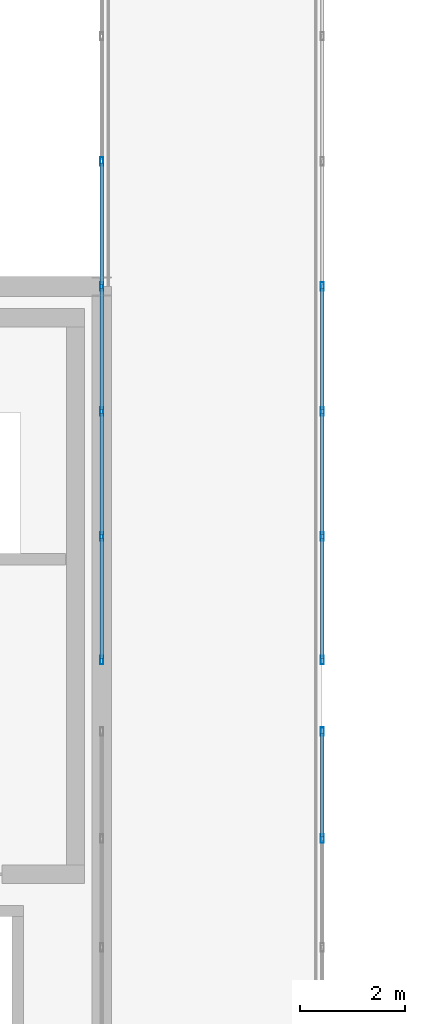
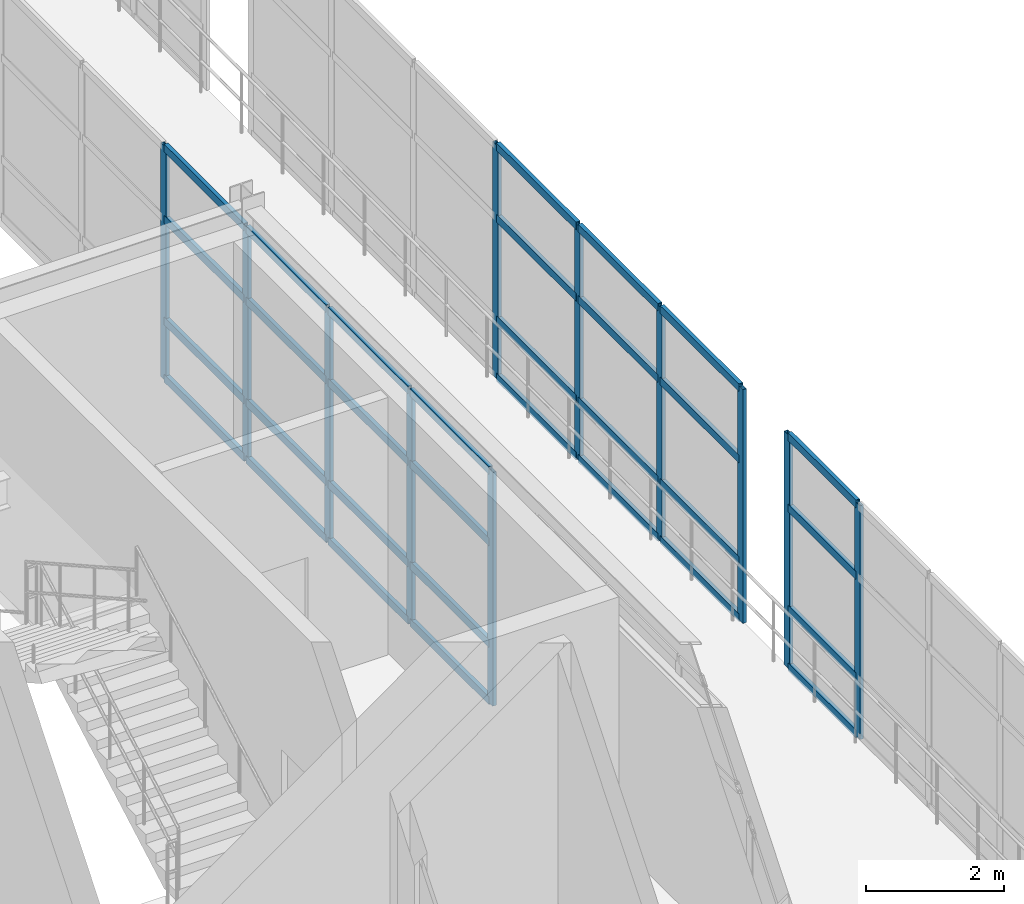
# One storey, part 59 of 116: 43 members, 3 elements without a shape of their own.
"""IFC4 building model written with IfcOpenShell, lengths in metres."""

from ifc_helpers import new_model, si_unit, direction, frame, origin, origin_2d, place, context, subcontext, project, spatial, hollow_rectangle, extrude, material, layer, layer_set, material_profile, profile_set, type_object, element, aggregate, save


model = new_model("IFC4")

# Units and contexts
model_context = context("Model", 3, precision=1e-05, world=origin(), true_north=direction((0.0, 1.0)))
body_context = subcontext(model_context, "Body", "Model", "MODEL_VIEW")
ifc_project = project(units=[si_unit("LENGTHUNIT", "METRE"), si_unit("AREAUNIT", "SQUARE_METRE"), si_unit("VOLUMEUNIT", "CUBIC_METRE"), si_unit("PLANEANGLEUNIT", "RADIAN"), si_unit("MASSUNIT", "GRAM", prefix="KILO")], contexts=[model_context])

# Site, building, storey
site_placement = place(None, origin())
site = spatial("IfcSite", under=ifc_project, at=site_placement, CompositionType="ELEMENT")
building_placement = place(site_placement, origin())
building = spatial("IfcBuilding", under=site, at=building_placement, Name="Selat Folded Stagehouse", CompositionType="ELEMENT")
storey_placement = place(building_placement, frame((0.0, 0.0, 5.39990234375)))
storey = spatial("IfcBuildingStorey", under=building, at=storey_placement, Name="L01", CompositionType="ELEMENT", Elevation=5.39990234375)

# Curtain wall, members
ifc_material = material(Name="Aluminium 6063-T6", Category="aluminium")
ifc_layer = layer(ifc_material, 0.175048828125)
ifc_layer_set = layer_set([ifc_layer], Name="Aluminium 6063-T6")
curtain_wall_type = type_object("IfcCurtainWallType", Name="CW-BRG-GLAZ", PredefinedType="NOTDEFINED", material=ifc_layer_set)
curtain_wall_1_placement = place(storey_placement, origin())
curtain_wall_1 = element("IfcCurtainWall", 1, at=curtain_wall_1_placement, inside=storey, type_object=curtain_wall_type, Name="L01 curtain wall CW-BRG-03", PredefinedType="NOTDEFINED")
ifc_material_profile_1 = material_profile(ifc_material, hollow_rectangle(XDim=0.06005859375, YDim=0.159912109375, WallThickness=0.00390625, at=origin_2d()), Name="ALU 160x60x4.0")
ifc_profile_set_1 = profile_set([ifc_material_profile_1], Name="Aluminium 6063-T6")
member_type_1 = type_object("IfcMemberType", Name="CWM-MUL-160x60", PredefinedType="MULLION", material=ifc_profile_set_1)
member_1_placement = place(storey_placement, frame((67.199951171875, 47.47998046875, 0.0), z_axis=(0.0, 0.0, 1.0), x_axis=(-1.0, 0.0, 0.0)))
member_1 = element("IfcMember", 2, at=member_1_placement, type_object=member_type_1, Name="CW-07 mullion 1", PredefinedType="MULLION", context=body_context, shape_type="SweptSolid", body=[
    extrude(hollow_rectangle(XDim=0.06005859375, YDim=0.159912109375, WallThickness=0.00390625, at=origin_2d()), origin(), (0.0, 0.0, 1.0), 4.150146484375),
])
member_2_placement = place(storey_placement, frame((67.199951171875, 49.833251953125, 0.0), z_axis=(0.0, 0.0, 1.0), x_axis=(-1.0, 0.0, 0.0)))
member_2 = element("IfcMember", 3, at=member_2_placement, type_object=member_type_1, Name="CW-07 mullion 2", PredefinedType="MULLION", context=body_context, shape_type="SweptSolid", body=[
    extrude(hollow_rectangle(XDim=0.06005859375, YDim=0.159912109375, WallThickness=0.00390625, at=origin_2d()), origin(), (0.0, 0.0, 1.0), 4.150146484375),
])
member_3_placement = place(storey_placement, frame((67.199951171875, 52.216552734375, 0.0), z_axis=(0.0, 0.0, 1.0), x_axis=(-1.0, 0.0, 0.0)))
member_3 = element("IfcMember", 4, at=member_3_placement, type_object=member_type_1, Name="CW-07 mullion 3", PredefinedType="MULLION", context=body_context, shape_type="SweptSolid", body=[
    extrude(hollow_rectangle(XDim=0.06005859375, YDim=0.159912109375, WallThickness=0.00390625, at=origin_2d()), origin(), (0.0, 0.0, 1.0), 4.150146484375),
])
member_4_placement = place(storey_placement, frame((67.199951171875, 54.60009765625, 0.0), z_axis=(0.0, 0.0, 1.0), x_axis=(-1.0, 0.0, 0.0)))
member_4 = element("IfcMember", 5, at=member_4_placement, type_object=member_type_1, Name="CW-07 mullion 4", PredefinedType="MULLION", context=body_context, shape_type="SweptSolid", body=[
    extrude(hollow_rectangle(XDim=0.06005859375, YDim=0.159912109375, WallThickness=0.00390625, at=origin_2d()), origin(), (0.0, 0.0, 1.0), 4.150146484375),
])
member_5_placement = place(storey_placement, frame((67.199951171875, 56.9833984375, 0.0), z_axis=(0.0, 0.0, 1.0), x_axis=(-1.0, 0.0, 0.0)))
member_5 = element("IfcMember", 6, at=member_5_placement, type_object=member_type_1, Name="CW-07 mullion 5", PredefinedType="MULLION", context=body_context, shape_type="SweptSolid", body=[
    extrude(hollow_rectangle(XDim=0.06005859375, YDim=0.159912109375, WallThickness=0.00390625, at=origin_2d()), origin(), (0.0, 0.0, 1.0), 4.150146484375),
])

curtain_wall_2_placement = place(storey_placement, origin())
curtain_wall_2 = element("IfcCurtainWall", 7, at=curtain_wall_2_placement, inside=storey, type_object=curtain_wall_type, Name="L01 curtain wall CW-BRG-07", PredefinedType="NOTDEFINED")
member_6_placement = place(storey_placement, frame((71.39990234375, 46.1201171875, 0.0), z_axis=(0.0, 0.0, 1.0), x_axis=(1.0, 0.0, 0.0)))
member_6 = element("IfcMember", 8, at=member_6_placement, type_object=member_type_1, Name="CW-07 mullion 1", PredefinedType="MULLION", context=body_context, shape_type="SweptSolid", body=[
    extrude(hollow_rectangle(XDim=0.06005859375, YDim=0.159912109375, WallThickness=0.00390625, at=origin_2d()), origin(), (0.0, 0.0, 1.0), 4.150146484375),
])
member_7_placement = place(storey_placement, frame((71.39990234375, 44.07861328125, 0.0), z_axis=(0.0, 0.0, 1.0), x_axis=(1.0, 0.0, 0.0)))
member_7 = element("IfcMember", 9, at=member_7_placement, type_object=member_type_1, Name="CW-07 mullion 2", PredefinedType="MULLION", context=body_context, shape_type="SweptSolid", body=[
    extrude(hollow_rectangle(XDim=0.06005859375, YDim=0.159912109375, WallThickness=0.00390625, at=origin_2d()), origin(), (0.0, 0.0, 1.0), 4.150146484375),
])

curtain_wall_3_placement = place(storey_placement, origin())
curtain_wall_3 = element("IfcCurtainWall", 10, at=curtain_wall_3_placement, inside=storey, type_object=curtain_wall_type, Name="L01 curtain wall CW-BRG-08", PredefinedType="NOTDEFINED")
member_8_placement = place(storey_placement, frame((71.39990234375, 54.60009765625, 0.0), z_axis=(0.0, 0.0, 1.0), x_axis=(1.0, 0.0, 0.0)))
member_8 = element("IfcMember", 11, at=member_8_placement, type_object=member_type_1, Name="CW-07 mullion 4", PredefinedType="MULLION", context=body_context, shape_type="SweptSolid", body=[
    extrude(hollow_rectangle(XDim=0.06005859375, YDim=0.159912109375, WallThickness=0.00390625, at=origin_2d()), origin(), (0.0, 0.0, 1.0), 4.150146484375),
])
member_9_placement = place(storey_placement, frame((71.39990234375, 52.216552734375, 0.0), z_axis=(0.0, 0.0, 1.0), x_axis=(1.0, 0.0, 0.0)))
member_9 = element("IfcMember", 12, at=member_9_placement, type_object=member_type_1, Name="CW-07 mullion 5", PredefinedType="MULLION", context=body_context, shape_type="SweptSolid", body=[
    extrude(hollow_rectangle(XDim=0.06005859375, YDim=0.159912109375, WallThickness=0.00390625, at=origin_2d()), origin(), (0.0, 0.0, 1.0), 4.150146484375),
])
member_10_placement = place(storey_placement, frame((71.39990234375, 49.833251953125, 0.0), z_axis=(0.0, 0.0, 1.0), x_axis=(1.0, 0.0, 0.0)))
member_10 = element("IfcMember", 13, at=member_10_placement, type_object=member_type_1, Name="CW-07 mullion 6", PredefinedType="MULLION", context=body_context, shape_type="SweptSolid", body=[
    extrude(hollow_rectangle(XDim=0.06005859375, YDim=0.159912109375, WallThickness=0.00390625, at=origin_2d()), origin(), (0.0, 0.0, 1.0), 4.150146484375),
])
member_11_placement = place(storey_placement, frame((71.39990234375, 47.47998046875, 0.0), z_axis=(0.0, 0.0, 1.0), x_axis=(1.0, 0.0, 0.0)))
member_11 = element("IfcMember", 14, at=member_11_placement, type_object=member_type_1, Name="CW-07 mullion 7", PredefinedType="MULLION", context=body_context, shape_type="SweptSolid", body=[
    extrude(hollow_rectangle(XDim=0.06005859375, YDim=0.159912109375, WallThickness=0.00390625, at=origin_2d()), origin(), (0.0, 0.0, 1.0), 4.150146484375),
])

# Member
ifc_material_profile_2 = material_profile(ifc_material, hollow_rectangle(XDim=0.06494140625, YDim=0.139892578125, WallThickness=0.00390625, at=origin_2d()), Name="ALU 140x65x4.0")
ifc_profile_set_2 = profile_set([ifc_material_profile_2], Name="Aluminium 6063-T6")
member_type_2 = type_object("IfcMemberType", Name="CWM-TRN-140x65", PredefinedType="USERDEFINED", material=ifc_profile_set_2)
member_12_placement = place(storey_placement, frame((67.199951171875, 47.510009765625, 0.03271484375), z_axis=(0.0, 1.0, 0.0), x_axis=(-1.0, 0.0, 0.0)))
member_12 = element("IfcMember", 15, at=member_12_placement, type_object=member_type_2, Name="CW-07 transom 1.1", ObjectType="TRANSOM", PredefinedType="USERDEFINED", context=body_context, shape_type="SweptSolid", body=[
    extrude(hollow_rectangle(XDim=0.06494140625, YDim=0.139892578125, WallThickness=0.00390625, at=origin_2d()), origin(), (0.0, 0.0, 1.0), 2.293212890625),
])

member_13_placement = place(storey_placement, frame((67.199951171875, 47.510009765625, 1.050048828125), z_axis=(0.0, 1.0, 0.0), x_axis=(-1.0, 0.0, 0.0)))
member_13 = element("IfcMember", 16, at=member_13_placement, type_object=member_type_2, Name="CW-07 transom 1.2", ObjectType="TRANSOM", PredefinedType="USERDEFINED", context=body_context, shape_type="SweptSolid", body=[
    extrude(hollow_rectangle(XDim=0.06494140625, YDim=0.139892578125, WallThickness=0.00390625, at=origin_2d()), origin(), (0.0, 0.0, 1.0), 2.293212890625),
])

member_14_placement = place(storey_placement, frame((67.199951171875, 47.510009765625, 2.85009765625), z_axis=(0.0, 1.0, 0.0), x_axis=(-1.0, 0.0, 0.0)))
member_14 = element("IfcMember", 17, at=member_14_placement, type_object=member_type_2, Name="CW-07 transom 1.3", ObjectType="TRANSOM", PredefinedType="USERDEFINED", context=body_context, shape_type="SweptSolid", body=[
    extrude(hollow_rectangle(XDim=0.06494140625, YDim=0.139892578125, WallThickness=0.00390625, at=origin_2d()), origin(), (0.0, 0.0, 1.0), 2.293212890625),
])

member_15_placement = place(storey_placement, frame((67.199951171875, 47.510009765625, 4.11767578125), z_axis=(0.0, 1.0, 0.0), x_axis=(-1.0, 0.0, 0.0)))
member_15 = element("IfcMember", 18, at=member_15_placement, type_object=member_type_2, Name="CW-07 transom 1.4", ObjectType="TRANSOM", PredefinedType="USERDEFINED", context=body_context, shape_type="SweptSolid", body=[
    extrude(hollow_rectangle(XDim=0.06494140625, YDim=0.139892578125, WallThickness=0.00390625, at=origin_2d()), origin(), (0.0, 0.0, 1.0), 2.293212890625),
])

member_16_placement = place(storey_placement, frame((67.199951171875, 49.86328125, 0.03271484375), z_axis=(0.0, 1.0, 0.0), x_axis=(-1.0, 0.0, 0.0)))
member_16 = element("IfcMember", 19, at=member_16_placement, type_object=member_type_2, Name="CW-07 transom 2.1", ObjectType="TRANSOM", PredefinedType="USERDEFINED", context=body_context, shape_type="SweptSolid", body=[
    extrude(hollow_rectangle(XDim=0.06494140625, YDim=0.139892578125, WallThickness=0.00390625, at=origin_2d()), origin(), (0.0, 0.0, 1.0), 2.323486328125),
])

member_17_placement = place(storey_placement, frame((67.199951171875, 49.86328125, 1.050048828125), z_axis=(0.0, 1.0, 0.0), x_axis=(-1.0, 0.0, 0.0)))
member_17 = element("IfcMember", 20, at=member_17_placement, type_object=member_type_2, Name="CW-07 transom 2.2", ObjectType="TRANSOM", PredefinedType="USERDEFINED", context=body_context, shape_type="SweptSolid", body=[
    extrude(hollow_rectangle(XDim=0.06494140625, YDim=0.139892578125, WallThickness=0.00390625, at=origin_2d()), origin(), (0.0, 0.0, 1.0), 2.323486328125),
])

member_18_placement = place(storey_placement, frame((67.199951171875, 49.86328125, 2.85009765625), z_axis=(0.0, 1.0, 0.0), x_axis=(-1.0, 0.0, 0.0)))
member_18 = element("IfcMember", 21, at=member_18_placement, type_object=member_type_2, Name="CW-07 transom 2.3", ObjectType="TRANSOM", PredefinedType="USERDEFINED", context=body_context, shape_type="SweptSolid", body=[
    extrude(hollow_rectangle(XDim=0.06494140625, YDim=0.139892578125, WallThickness=0.00390625, at=origin_2d()), origin(), (0.0, 0.0, 1.0), 2.323486328125),
])

member_19_placement = place(storey_placement, frame((67.199951171875, 49.86328125, 4.11767578125), z_axis=(0.0, 1.0, 0.0), x_axis=(-1.0, 0.0, 0.0)))
member_19 = element("IfcMember", 22, at=member_19_placement, type_object=member_type_2, Name="CW-07 transom 2.4", ObjectType="TRANSOM", PredefinedType="USERDEFINED", context=body_context, shape_type="SweptSolid", body=[
    extrude(hollow_rectangle(XDim=0.06494140625, YDim=0.139892578125, WallThickness=0.00390625, at=origin_2d()), origin(), (0.0, 0.0, 1.0), 2.323486328125),
])

member_20_placement = place(storey_placement, frame((67.199951171875, 52.24658203125, 0.03271484375), z_axis=(0.0, 1.0, 0.0), x_axis=(-1.0, 0.0, 0.0)))
member_20 = element("IfcMember", 23, at=member_20_placement, type_object=member_type_2, Name="CW-07 transom 3.1", ObjectType="TRANSOM", PredefinedType="USERDEFINED", context=body_context, shape_type="SweptSolid", body=[
    extrude(hollow_rectangle(XDim=0.06494140625, YDim=0.139892578125, WallThickness=0.00390625, at=origin_2d()), origin(), (0.0, 0.0, 1.0), 2.323486328125),
])

member_21_placement = place(storey_placement, frame((67.199951171875, 52.24658203125, 1.050048828125), z_axis=(0.0, 1.0, 0.0), x_axis=(-1.0, 0.0, 0.0)))
member_21 = element("IfcMember", 24, at=member_21_placement, type_object=member_type_2, Name="CW-07 transom 3.2", ObjectType="TRANSOM", PredefinedType="USERDEFINED", context=body_context, shape_type="SweptSolid", body=[
    extrude(hollow_rectangle(XDim=0.06494140625, YDim=0.139892578125, WallThickness=0.00390625, at=origin_2d()), origin(), (0.0, 0.0, 1.0), 2.323486328125),
])

member_22_placement = place(storey_placement, frame((67.199951171875, 52.24658203125, 2.85009765625), z_axis=(0.0, 1.0, 0.0), x_axis=(-1.0, 0.0, 0.0)))
member_22 = element("IfcMember", 25, at=member_22_placement, type_object=member_type_2, Name="CW-07 transom 3.3", ObjectType="TRANSOM", PredefinedType="USERDEFINED", context=body_context, shape_type="SweptSolid", body=[
    extrude(hollow_rectangle(XDim=0.06494140625, YDim=0.139892578125, WallThickness=0.00390625, at=origin_2d()), origin(), (0.0, 0.0, 1.0), 2.323486328125),
])

member_23_placement = place(storey_placement, frame((67.199951171875, 52.24658203125, 4.11767578125), z_axis=(0.0, 1.0, 0.0), x_axis=(-1.0, 0.0, 0.0)))
member_23 = element("IfcMember", 26, at=member_23_placement, type_object=member_type_2, Name="CW-07 transom 3.4", ObjectType="TRANSOM", PredefinedType="USERDEFINED", context=body_context, shape_type="SweptSolid", body=[
    extrude(hollow_rectangle(XDim=0.06494140625, YDim=0.139892578125, WallThickness=0.00390625, at=origin_2d()), origin(), (0.0, 0.0, 1.0), 2.323486328125),
])

member_24_placement = place(storey_placement, frame((67.199951171875, 54.6298828125, 0.03271484375), z_axis=(0.0, 1.0, 0.0), x_axis=(-1.0, 0.0, 0.0)))
member_24 = element("IfcMember", 27, at=member_24_placement, type_object=member_type_2, Name="CW-07 transom 4.1", ObjectType="TRANSOM", PredefinedType="USERDEFINED", context=body_context, shape_type="SweptSolid", body=[
    extrude(hollow_rectangle(XDim=0.06494140625, YDim=0.139892578125, WallThickness=0.00390625, at=origin_2d()), origin(), (0.0, 0.0, 1.0), 2.323486328125),
])

member_25_placement = place(storey_placement, frame((67.199951171875, 54.6298828125, 1.050048828125), z_axis=(0.0, 1.0, 0.0), x_axis=(-1.0, 0.0, 0.0)))
member_25 = element("IfcMember", 28, at=member_25_placement, type_object=member_type_2, Name="CW-07 transom 4.2", ObjectType="TRANSOM", PredefinedType="USERDEFINED", context=body_context, shape_type="SweptSolid", body=[
    extrude(hollow_rectangle(XDim=0.06494140625, YDim=0.139892578125, WallThickness=0.00390625, at=origin_2d()), origin(), (0.0, 0.0, 1.0), 2.323486328125),
])

member_26_placement = place(storey_placement, frame((67.199951171875, 54.6298828125, 2.85009765625), z_axis=(0.0, 1.0, 0.0), x_axis=(-1.0, 0.0, 0.0)))
member_26 = element("IfcMember", 29, at=member_26_placement, type_object=member_type_2, Name="CW-07 transom 4.3", ObjectType="TRANSOM", PredefinedType="USERDEFINED", context=body_context, shape_type="SweptSolid", body=[
    extrude(hollow_rectangle(XDim=0.06494140625, YDim=0.139892578125, WallThickness=0.00390625, at=origin_2d()), origin(), (0.0, 0.0, 1.0), 2.323486328125),
])

member_27_placement = place(storey_placement, frame((67.199951171875, 54.6298828125, 4.11767578125), z_axis=(0.0, 1.0, 0.0), x_axis=(-1.0, 0.0, 0.0)))
member_27 = element("IfcMember", 30, at=member_27_placement, type_object=member_type_2, Name="CW-07 transom 4.4", ObjectType="TRANSOM", PredefinedType="USERDEFINED", context=body_context, shape_type="SweptSolid", body=[
    extrude(hollow_rectangle(XDim=0.06494140625, YDim=0.139892578125, WallThickness=0.00390625, at=origin_2d()), origin(), (0.0, 0.0, 1.0), 2.323486328125),
])

aggregate(curtain_wall_1, [member_1, member_2, member_3, member_4, member_5, member_12, member_13, member_14, member_15, member_16, member_17, member_18, member_19, member_20, member_21, member_22, member_23, member_24, member_25, member_26, member_27])

member_28_placement = place(storey_placement, frame((71.39990234375, 46.090087890625, 0.03271484375), z_axis=(0.0, -1.0, 0.0), x_axis=(1.0, 0.0, 0.0)))
member_28 = element("IfcMember", 31, at=member_28_placement, type_object=member_type_2, Name="CW-07 transom 1.1", ObjectType="TRANSOM", PredefinedType="USERDEFINED", context=body_context, shape_type="SweptSolid", body=[
    extrude(hollow_rectangle(XDim=0.06494140625, YDim=0.139892578125, WallThickness=0.00390625, at=origin_2d()), origin(), (0.0, 0.0, 1.0), 1.9814453125),
])

member_29_placement = place(storey_placement, frame((71.39990234375, 46.090087890625, 1.050048828125), z_axis=(0.0, -1.0, 0.0), x_axis=(1.0, 0.0, 0.0)))
member_29 = element("IfcMember", 32, at=member_29_placement, type_object=member_type_2, Name="CW-07 transom 1.2", ObjectType="TRANSOM", PredefinedType="USERDEFINED", context=body_context, shape_type="SweptSolid", body=[
    extrude(hollow_rectangle(XDim=0.06494140625, YDim=0.139892578125, WallThickness=0.00390625, at=origin_2d()), origin(), (0.0, 0.0, 1.0), 1.9814453125),
])

member_30_placement = place(storey_placement, frame((71.39990234375, 46.090087890625, 2.85009765625), z_axis=(0.0, -1.0, 0.0), x_axis=(1.0, 0.0, 0.0)))
member_30 = element("IfcMember", 33, at=member_30_placement, type_object=member_type_2, Name="CW-07 transom 1.3", ObjectType="TRANSOM", PredefinedType="USERDEFINED", context=body_context, shape_type="SweptSolid", body=[
    extrude(hollow_rectangle(XDim=0.06494140625, YDim=0.139892578125, WallThickness=0.00390625, at=origin_2d()), origin(), (0.0, 0.0, 1.0), 1.9814453125),
])

member_31_placement = place(storey_placement, frame((71.39990234375, 46.090087890625, 4.11767578125), z_axis=(0.0, -1.0, 0.0), x_axis=(1.0, 0.0, 0.0)))
member_31 = element("IfcMember", 34, at=member_31_placement, type_object=member_type_2, Name="CW-07 transom 1.4", ObjectType="TRANSOM", PredefinedType="USERDEFINED", context=body_context, shape_type="SweptSolid", body=[
    extrude(hollow_rectangle(XDim=0.06494140625, YDim=0.139892578125, WallThickness=0.00390625, at=origin_2d()), origin(), (0.0, 0.0, 1.0), 1.9814453125),
])

aggregate(curtain_wall_2, [member_6, member_7, member_28, member_29, member_30, member_31])

member_32_placement = place(storey_placement, frame((71.39990234375, 54.570068359375, 0.03271484375), z_axis=(0.0, -1.0, 0.0), x_axis=(1.0, 0.0, 0.0)))
member_32 = element("IfcMember", 35, at=member_32_placement, type_object=member_type_2, Name="CW-07 transom 4.1", ObjectType="TRANSOM", PredefinedType="USERDEFINED", context=body_context, shape_type="SweptSolid", body=[
    extrude(hollow_rectangle(XDim=0.06494140625, YDim=0.139892578125, WallThickness=0.00390625, at=origin_2d()), origin(), (0.0, 0.0, 1.0), 2.323486328125),
])

member_33_placement = place(storey_placement, frame((71.39990234375, 54.570068359375, 1.050048828125), z_axis=(0.0, -1.0, 0.0), x_axis=(1.0, 0.0, 0.0)))
member_33 = element("IfcMember", 36, at=member_33_placement, type_object=member_type_2, Name="CW-07 transom 4.2", ObjectType="TRANSOM", PredefinedType="USERDEFINED", context=body_context, shape_type="SweptSolid", body=[
    extrude(hollow_rectangle(XDim=0.06494140625, YDim=0.139892578125, WallThickness=0.00390625, at=origin_2d()), origin(), (0.0, 0.0, 1.0), 2.323486328125),
])

member_34_placement = place(storey_placement, frame((71.39990234375, 54.570068359375, 2.85009765625), z_axis=(0.0, -1.0, 0.0), x_axis=(1.0, 0.0, 0.0)))
member_34 = element("IfcMember", 37, at=member_34_placement, type_object=member_type_2, Name="CW-07 transom 4.3", ObjectType="TRANSOM", PredefinedType="USERDEFINED", context=body_context, shape_type="SweptSolid", body=[
    extrude(hollow_rectangle(XDim=0.06494140625, YDim=0.139892578125, WallThickness=0.00390625, at=origin_2d()), origin(), (0.0, 0.0, 1.0), 2.323486328125),
])

member_35_placement = place(storey_placement, frame((71.39990234375, 54.570068359375, 4.11767578125), z_axis=(0.0, -1.0, 0.0), x_axis=(1.0, 0.0, 0.0)))
member_35 = element("IfcMember", 38, at=member_35_placement, type_object=member_type_2, Name="CW-07 transom 4.4", ObjectType="TRANSOM", PredefinedType="USERDEFINED", context=body_context, shape_type="SweptSolid", body=[
    extrude(hollow_rectangle(XDim=0.06494140625, YDim=0.139892578125, WallThickness=0.00390625, at=origin_2d()), origin(), (0.0, 0.0, 1.0), 2.323486328125),
])

member_36_placement = place(storey_placement, frame((71.39990234375, 52.186767578125, 0.03271484375), z_axis=(0.0, -1.0, 0.0), x_axis=(1.0, 0.0, 0.0)))
member_36 = element("IfcMember", 39, at=member_36_placement, type_object=member_type_2, Name="CW-07 transom 5.1", ObjectType="TRANSOM", PredefinedType="USERDEFINED", context=body_context, shape_type="SweptSolid", body=[
    extrude(hollow_rectangle(XDim=0.06494140625, YDim=0.139892578125, WallThickness=0.00390625, at=origin_2d()), origin(), (0.0, 0.0, 1.0), 2.323486328125),
])

member_37_placement = place(storey_placement, frame((71.39990234375, 52.186767578125, 1.050048828125), z_axis=(0.0, -1.0, 0.0), x_axis=(1.0, 0.0, 0.0)))
member_37 = element("IfcMember", 40, at=member_37_placement, type_object=member_type_2, Name="CW-07 transom 5.2", ObjectType="TRANSOM", PredefinedType="USERDEFINED", context=body_context, shape_type="SweptSolid", body=[
    extrude(hollow_rectangle(XDim=0.06494140625, YDim=0.139892578125, WallThickness=0.00390625, at=origin_2d()), origin(), (0.0, 0.0, 1.0), 2.323486328125),
])

member_38_placement = place(storey_placement, frame((71.39990234375, 52.186767578125, 2.85009765625), z_axis=(0.0, -1.0, 0.0), x_axis=(1.0, 0.0, 0.0)))
member_38 = element("IfcMember", 41, at=member_38_placement, type_object=member_type_2, Name="CW-07 transom 5.3", ObjectType="TRANSOM", PredefinedType="USERDEFINED", context=body_context, shape_type="SweptSolid", body=[
    extrude(hollow_rectangle(XDim=0.06494140625, YDim=0.139892578125, WallThickness=0.00390625, at=origin_2d()), origin(), (0.0, 0.0, 1.0), 2.323486328125),
])

member_39_placement = place(storey_placement, frame((71.39990234375, 52.186767578125, 4.11767578125), z_axis=(0.0, -1.0, 0.0), x_axis=(1.0, 0.0, 0.0)))
member_39 = element("IfcMember", 42, at=member_39_placement, type_object=member_type_2, Name="CW-07 transom 5.4", ObjectType="TRANSOM", PredefinedType="USERDEFINED", context=body_context, shape_type="SweptSolid", body=[
    extrude(hollow_rectangle(XDim=0.06494140625, YDim=0.139892578125, WallThickness=0.00390625, at=origin_2d()), origin(), (0.0, 0.0, 1.0), 2.323486328125),
])

member_40_placement = place(storey_placement, frame((71.39990234375, 49.80322265625, 0.03271484375), z_axis=(0.0, -1.0, 0.0), x_axis=(1.0, 0.0, 0.0)))
member_40 = element("IfcMember", 43, at=member_40_placement, type_object=member_type_2, Name="CW-07 transom 6.1", ObjectType="TRANSOM", PredefinedType="USERDEFINED", context=body_context, shape_type="SweptSolid", body=[
    extrude(hollow_rectangle(XDim=0.06494140625, YDim=0.139892578125, WallThickness=0.00390625, at=origin_2d()), origin(), (0.0, 0.0, 1.0), 2.293212890625),
])

member_41_placement = place(storey_placement, frame((71.39990234375, 49.80322265625, 1.050048828125), z_axis=(0.0, -1.0, 0.0), x_axis=(1.0, 0.0, 0.0)))
member_41 = element("IfcMember", 44, at=member_41_placement, type_object=member_type_2, Name="CW-07 transom 6.2", ObjectType="TRANSOM", PredefinedType="USERDEFINED", context=body_context, shape_type="SweptSolid", body=[
    extrude(hollow_rectangle(XDim=0.06494140625, YDim=0.139892578125, WallThickness=0.00390625, at=origin_2d()), origin(), (0.0, 0.0, 1.0), 2.293212890625),
])

member_42_placement = place(storey_placement, frame((71.39990234375, 49.80322265625, 2.85009765625), z_axis=(0.0, -1.0, 0.0), x_axis=(1.0, 0.0, 0.0)))
member_42 = element("IfcMember", 45, at=member_42_placement, type_object=member_type_2, Name="CW-07 transom 6.3", ObjectType="TRANSOM", PredefinedType="USERDEFINED", context=body_context, shape_type="SweptSolid", body=[
    extrude(hollow_rectangle(XDim=0.06494140625, YDim=0.139892578125, WallThickness=0.00390625, at=origin_2d()), origin(), (0.0, 0.0, 1.0), 2.293212890625),
])

member_43_placement = place(storey_placement, frame((71.39990234375, 49.80322265625, 4.11767578125), z_axis=(0.0, -1.0, 0.0), x_axis=(1.0, 0.0, 0.0)))
member_43 = element("IfcMember", 46, at=member_43_placement, type_object=member_type_2, Name="CW-07 transom 6.4", ObjectType="TRANSOM", PredefinedType="USERDEFINED", context=body_context, shape_type="SweptSolid", body=[
    extrude(hollow_rectangle(XDim=0.06494140625, YDim=0.139892578125, WallThickness=0.00390625, at=origin_2d()), origin(), (0.0, 0.0, 1.0), 2.293212890625),
])

aggregate(curtain_wall_3, [member_8, member_9, member_10, member_11, member_32, member_33, member_34, member_35, member_36, member_37, member_38, member_39, member_40, member_41, member_42, member_43])

save(model, "model.ifc")
